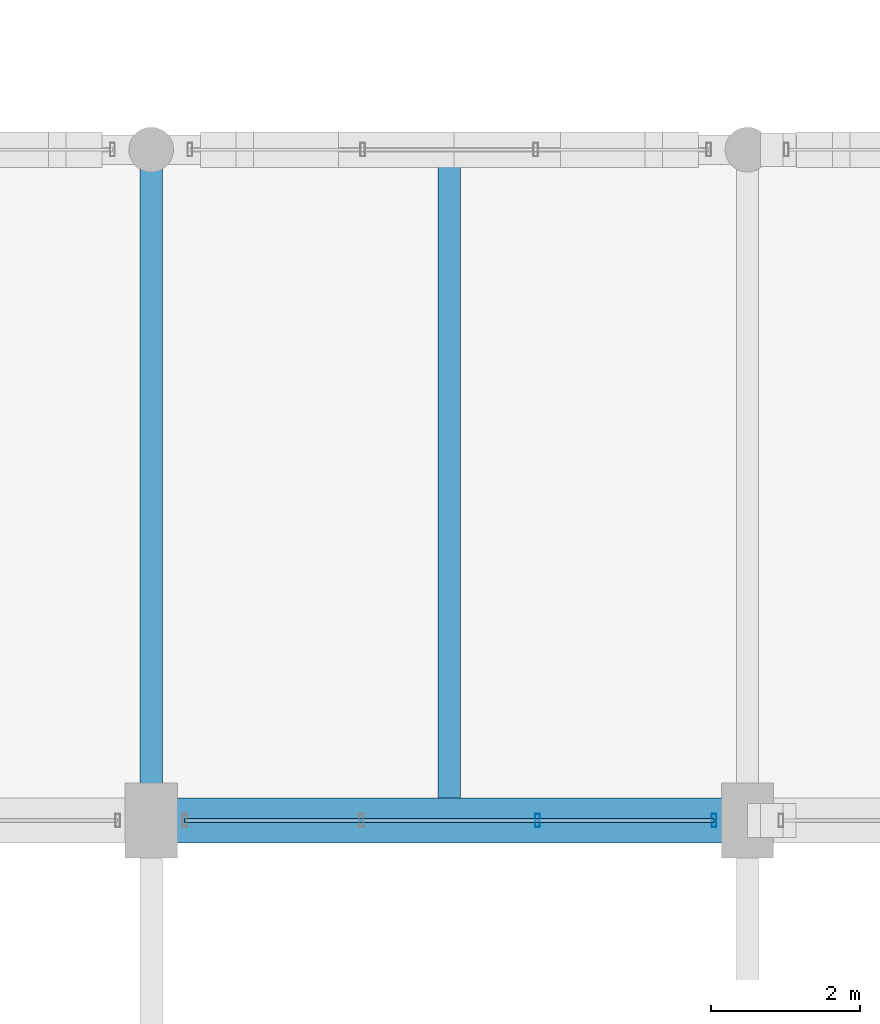
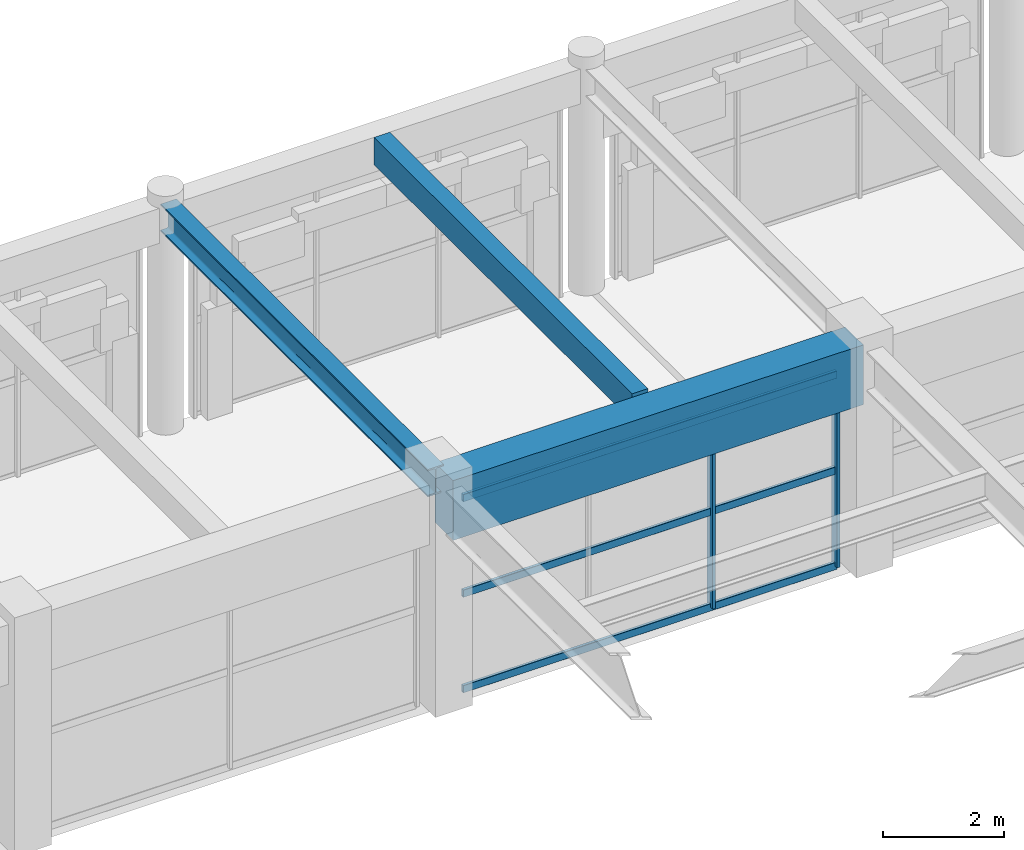
# One storey, part 45 of 144: 5 members, 3 beams, 1 element without a shape of its own.
"""IFC4 building model written with IfcOpenShell, lengths in metres."""

from ifc_helpers import new_model, si_unit, direction, frame, origin, origin_2d, place, context, subcontext, project, spatial, rectangle, hollow_rectangle, i_section, extrude, material, material_profile, profile_set, type_object, element, aggregate, save


model = new_model("IFC4")

# Units and contexts
model_context = context("Model", 3, precision=1e-05, world=origin(), true_north=direction((0.0, 1.0)))
body_context = subcontext(model_context, "Body", "Model", "MODEL_VIEW")
ifc_project = project(units=[si_unit("LENGTHUNIT", "METRE"), si_unit("AREAUNIT", "SQUARE_METRE"), si_unit("VOLUMEUNIT", "CUBIC_METRE"), si_unit("PLANEANGLEUNIT", "RADIAN"), si_unit("MASSUNIT", "GRAM", prefix="KILO")], contexts=[model_context])

# Site, building, storey
site_placement = place(None, origin())
site = spatial("IfcSite", under=ifc_project, at=site_placement, CompositionType="ELEMENT")
building_placement = place(site_placement, origin())
building = spatial("IfcBuilding", under=site, at=building_placement, Name="Varnabhumi Central Station", CompositionType="ELEMENT")
storey_placement = place(building_placement, frame((0.0, 0.0, 4.800048828125)))
storey = spatial("IfcBuildingStorey", under=building, at=storey_placement, Name="L01", CompositionType="ELEMENT", Elevation=4.800048828125)

# Beams
ifc_material_1 = material(Name="Concrete M50", Category="concrete")
ifc_material_profile_1 = material_profile(ifc_material_1, rectangle(XDim=0.60009765625, YDim=1.199951171875, at=origin_2d()), Name="Concrete M50", Category="concrete")
ifc_profile_set_1 = profile_set([ifc_material_profile_1], Name="Concrete M50")
beam_type_1 = type_object("IfcBeamType", Name="BM-RC-1200x600", PredefinedType="BEAM", material=ifc_profile_set_1)
beam_1_placement = place(storey_placement, frame((56.10009765625, 80.0, 3.8798828125), z_axis=(1.0, 0.0, 0.0), x_axis=(0.0, 1.0, 0.0)))
element("IfcBeam", 1, at=beam_1_placement, inside=storey, type_object=beam_type_1, Name="Beam L01-K:8-9", PredefinedType="BEAM", context=body_context, shape_type="SweptSolid", body=[
    extrude(rectangle(XDim=0.60009765625, YDim=1.199951171875, at=origin_2d()), origin(), (0.0, 0.0, 1.0), 7.7998046875),
])
ifc_material_2 = material(Name="Concrete M40", Category="concrete")
ifc_material_profile_2 = material_profile(ifc_material_2, rectangle(XDim=0.300048828125, YDim=0.550048828125, at=origin_2d()), Name="Concrete M40", Category="concrete")
ifc_profile_set_2 = profile_set([ifc_material_profile_2], Name="Concrete M40")
beam_type_2 = type_object("IfcBeamType", Name="BM-RC-300x550", PredefinedType="JOIST", material=ifc_profile_set_2)
beam_2_placement = place(storey_placement, frame((60.0, 80.300048828125, 4.27490234375), z_axis=(0.0, 1.0, 0.0), x_axis=(-1.0, 0.0, 0.0)))
element("IfcBeam", 2, at=beam_2_placement, inside=storey, type_object=beam_type_2, Name="Secondary Joist L01-8/9:K-L", PredefinedType="JOIST", context=body_context, shape_type="SweptSolid", body=[
    extrude(rectangle(XDim=0.300048828125, YDim=0.550048828125, at=origin_2d()), origin(), (0.0, 0.0, 1.0), 8.5),
])
ifc_material_3 = material(Name="Structural steel E350", Category="steel")
ifc_material_profile_3 = material_profile(ifc_material_3, i_section(OverallWidth=0.300048828125, OverallDepth=0.550048828125, WebThickness=0.014892578125, FlangeThickness=0.029052734375, FilletRadius=0.027099609375, at=origin_2d()), Name="Structural steel E350", Category="steel")
ifc_profile_set_3 = profile_set([ifc_material_profile_3], Name="Structural steel E350")
beam_type_3 = type_object("IfcBeamType", Name="BM-STL-WPB550", PredefinedType="BEAM", material=ifc_profile_set_3)
beam_3_placement = place(storey_placement, frame((56.0, 80.10009765625, 4.27490234375), z_axis=(0.0, 1.0, 0.0), x_axis=(-1.0, 0.0, 0.0)))
element("IfcBeam", 3, at=beam_3_placement, inside=storey, type_object=beam_type_3, Name="Beam L01-8:K-L", PredefinedType="BEAM", context=body_context, shape_type="SweptSolid", body=[
    extrude(i_section(OverallWidth=0.300048828125, OverallDepth=0.550048828125, WebThickness=0.014892578125, FlangeThickness=0.029052734375, FilletRadius=0.027099609375, at=origin_2d()), origin(), (0.0, 0.0, 1.0), 8.7998046875),
])

# Curtain wall, members
ifc_material_4 = material(Name="Anodised aluminium 6063-T6", Category="aluminium")
curtain_wall_type = type_object("IfcCurtainWallType", Name="CW-STREET-PORTAL", PredefinedType="NOTDEFINED", material=ifc_material_4)
curtain_wall_placement = place(storey_placement, origin())
curtain_wall = element("IfcCurtainWall", 4, at=curtain_wall_placement, inside=storey, type_object=curtain_wall_type, Name="Curtain Wall CW-NSP107", PredefinedType="NOTDEFINED")
ifc_material_profile_4 = material_profile(ifc_material_4, hollow_rectangle(XDim=0.06494140625, YDim=0.179931640625, WallThickness=0.00390625, InnerFilletRadius=0.001953125, OuterFilletRadius=0.006103515625, at=origin_2d()), Name="Anodised aluminium 6063-T6", Category="aluminium")
ifc_profile_set_4 = profile_set([ifc_material_profile_4], Name="Anodised aluminium 6063-T6")
member_type_1 = type_object("IfcMemberType", Name="CW-MUL-180", PredefinedType="MULLION", material=ifc_profile_set_4)
member_1_placement = place(storey_placement, frame((61.183349609375, 80.0, 0.0), z_axis=(0.0, 0.0, 1.0), x_axis=(1.0, 0.0, 0.0)))
member_1 = element("IfcMember", 5, at=member_1_placement, type_object=member_type_1, Name="Curtain Wall Mullion CW-NSP107-M3", PredefinedType="MULLION", context=body_context, shape_type="SweptSolid", body=[
    extrude(hollow_rectangle(XDim=0.06494140625, YDim=0.179931640625, WallThickness=0.00390625, InnerFilletRadius=0.001953125, OuterFilletRadius=0.006103515625, at=origin_2d()), origin(), (0.0, 0.0, 1.0), 3.83984375),
])
member_2_placement = place(storey_placement, frame((63.550048828125, 80.0, 0.0), z_axis=(0.0, 0.0, 1.0), x_axis=(1.0, 0.0, 0.0)))
member_2 = element("IfcMember", 6, at=member_2_placement, type_object=member_type_1, Name="Curtain Wall Mullion CW-NSP107-M4", PredefinedType="MULLION", context=body_context, shape_type="SweptSolid", body=[
    extrude(hollow_rectangle(XDim=0.06494140625, YDim=0.179931640625, WallThickness=0.00390625, InnerFilletRadius=0.001953125, OuterFilletRadius=0.006103515625, at=origin_2d()), origin(), (0.0, 0.0, 1.0), 3.83984375),
])
ifc_material_profile_5 = material_profile(ifc_material_4, hollow_rectangle(XDim=0.06005859375, YDim=0.14990234375, WallThickness=0.00390625, InnerFilletRadius=0.001953125, OuterFilletRadius=0.006103515625, at=origin_2d()), Name="Anodised aluminium 6063-T6", Category="aluminium")
ifc_profile_set_5 = profile_set([ifc_material_profile_5], Name="Anodised aluminium 6063-T6")
member_type_2 = type_object("IfcMemberType", Name="CW-TR-150", PredefinedType="USERDEFINED", material=ifc_profile_set_5)
member_3_placement = place(storey_placement, frame((56.449951171875, 80.0, 0.0), z_axis=(1.0, 0.0, 0.0), x_axis=(0.0, 1.0, 0.0)))
member_3 = element("IfcMember", 7, at=member_3_placement, type_object=member_type_2, Name="Curtain Wall Transom CW-NSP107-T1", ObjectType="TRANSOM", PredefinedType="USERDEFINED", context=body_context, shape_type="SweptSolid", body=[
    extrude(hollow_rectangle(XDim=0.06005859375, YDim=0.14990234375, WallThickness=0.00390625, InnerFilletRadius=0.001953125, OuterFilletRadius=0.006103515625, at=origin_2d()), origin(), (0.0, 0.0, 1.0), 7.10009765625),
])
member_4_placement = place(storey_placement, frame((56.449951171875, 80.0, 1.919921875), z_axis=(1.0, 0.0, 0.0), x_axis=(0.0, 1.0, 0.0)))
member_4 = element("IfcMember", 8, at=member_4_placement, type_object=member_type_2, Name="Curtain Wall Transom CW-NSP107-T2", ObjectType="TRANSOM", PredefinedType="USERDEFINED", context=body_context, shape_type="SweptSolid", body=[
    extrude(hollow_rectangle(XDim=0.06005859375, YDim=0.14990234375, WallThickness=0.00390625, InnerFilletRadius=0.001953125, OuterFilletRadius=0.006103515625, at=origin_2d()), origin(), (0.0, 0.0, 1.0), 7.10009765625),
])
member_5_placement = place(storey_placement, frame((56.449951171875, 80.0, 3.83984375), z_axis=(1.0, 0.0, 0.0), x_axis=(0.0, 1.0, 0.0)))
member_5 = element("IfcMember", 9, at=member_5_placement, type_object=member_type_2, Name="Curtain Wall Transom CW-NSP107-T3", ObjectType="TRANSOM", PredefinedType="USERDEFINED", context=body_context, shape_type="SweptSolid", body=[
    extrude(hollow_rectangle(XDim=0.06005859375, YDim=0.14990234375, WallThickness=0.00390625, InnerFilletRadius=0.001953125, OuterFilletRadius=0.006103515625, at=origin_2d()), origin(), (0.0, 0.0, 1.0), 7.10009765625),
])
aggregate(curtain_wall, [member_1, member_2, member_3, member_4, member_5])

save(model, "model.ifc")
